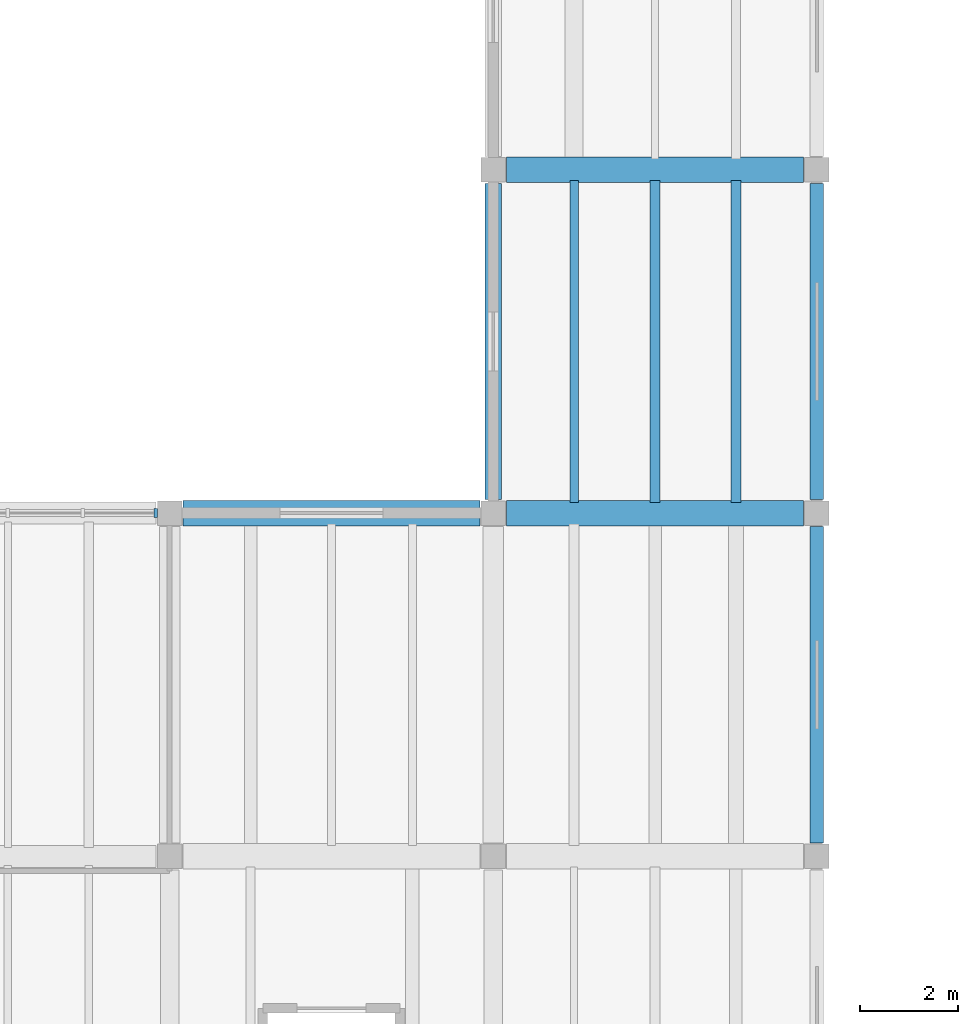
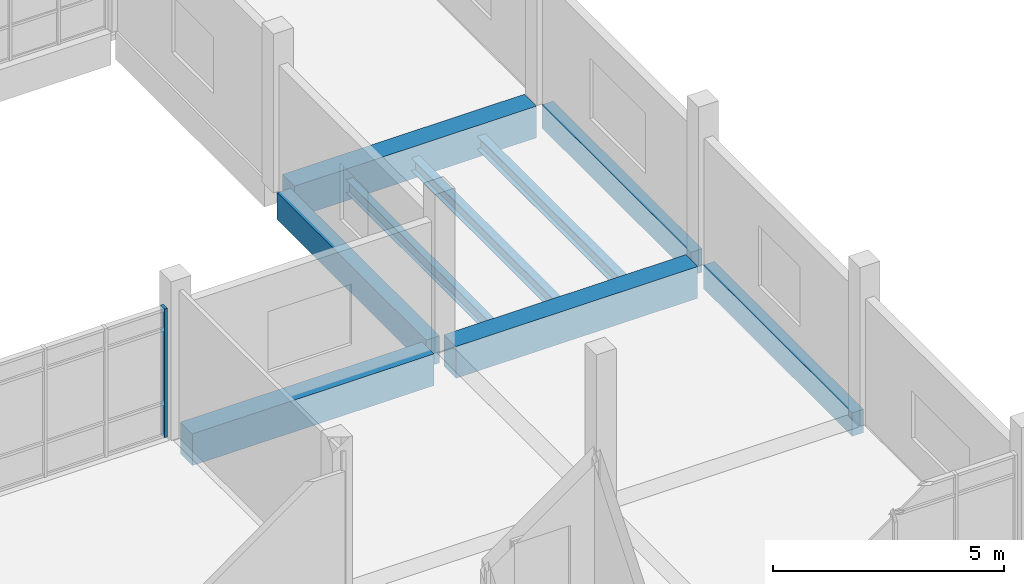
# One storey, part 23 of 65: 9 beams, 1 member, 1 element without a shape of its own.
"""IFC4 building model written with IfcOpenShell, lengths in metres."""

from ifc_helpers import new_model, si_unit, direction, frame, origin, origin_2d, place, context, subcontext, project, spatial, rectangle, i_section, extrude, material, material_profile, profile_set, type_object, element, aggregate, save


model = new_model("IFC4")

# Units and contexts
model_context = context("Model", 3, precision=1e-05, world=origin(), true_north=direction((0.0, 1.0)))
body_context = subcontext(model_context, "Body", "Model", "MODEL_VIEW")
ifc_project = project(units=[si_unit("LENGTHUNIT", "METRE"), si_unit("AREAUNIT", "SQUARE_METRE"), si_unit("VOLUMEUNIT", "CUBIC_METRE"), si_unit("PLANEANGLEUNIT", "RADIAN"), si_unit("MASSUNIT", "GRAM", prefix="KILO")], contexts=[model_context])

# Site, building, storey
site_placement = place(None, origin())
site = spatial("IfcSite", under=ifc_project, at=site_placement, CompositionType="ELEMENT")
building_placement = place(site_placement, origin())
building = spatial("IfcBuilding", under=site, at=building_placement, Name="Ciguamira Faculty of Natural Sciences", CompositionType="ELEMENT")
storey_placement = place(building_placement, frame((0.0, 0.0, 12.60009765625)))
storey = spatial("IfcBuildingStorey", under=building, at=storey_placement, Name="L03", CompositionType="ELEMENT", Elevation=12.60009765625)

# Curtain wall, member
ifc_material_1 = material(Name="Anodized aluminium curtain wall", Category="aluminium")
curtain_wall_type = type_object("IfcCurtainWallType", Name="CurtainWall_CW-08", PredefinedType="USERDEFINED", material=ifc_material_1)
curtain_wall_placement = place(storey_placement, origin())
curtain_wall = element("IfcCurtainWall", 1, at=curtain_wall_placement, inside=storey, type_object=curtain_wall_type, Name="L03 unitised curtain wall 0092", ObjectType="UNITISED CURTAIN WALL", PredefinedType="USERDEFINED")
ifc_material_2 = material(Name="Anodized aluminium mullion", Category="aluminium")
ifc_material_profile_1 = material_profile(ifc_material_2, rectangle(XDim=0.070068359375, YDim=0.179931640625, at=origin_2d()), Name="ALU-MUL-70X180")
ifc_profile_set_1 = profile_set([ifc_material_profile_1], Name="Anodized aluminium mullion")
member_type = type_object("IfcMemberType", Name="CWMullion_CWM-02", PredefinedType="MULLION", material=ifc_profile_set_1)
member_placement = place(storey_placement, frame((103.215087890625, 59.0, 0.0), z_axis=(0.0, 0.0, 1.0), x_axis=(1.0, 0.0, 0.0)))
member = element("IfcMember", 2, at=member_placement, type_object=member_type, Name="CW-08 mullion 5", PredefinedType="MULLION", context=body_context, shape_type="SweptSolid", body=[
    extrude(rectangle(XDim=0.070068359375, YDim=0.179931640625, at=origin_2d()), origin(), (0.0, 0.0, 1.0), 3.40478515625),
])
aggregate(curtain_wall, [member])

# Beams
ifc_material_3 = material(Name="Precast concrete C40/50", Category="concrete")
ifc_material_profile_2 = material_profile(ifc_material_3, rectangle(XDim=0.280029296875, YDim=0.6201171875, at=origin_2d()), Name="RC-SP-280X620")
ifc_profile_set_2 = profile_set([ifc_material_profile_2], Name="Precast concrete C40/50")
beam_type_1 = type_object("IfcBeamType", Name="RCBeam_SP-01_RC-SP-280X620", PredefinedType="SPANDREL", material=ifc_profile_set_2)
for number, where, z_axis, x_axis, name in (
    (3, (116.699951171875, 52.27490234375, -0.31005859375), (0.0, 1.0, 0.0), (-1.0, 0.0, 0.0), "L03 girder NS-1311"),
    (4, (116.699951171875, 59.27490234375, -0.31005859375), (0.0, 1.0, 0.0), (-1.0, 0.0, 0.0), "L03 girder NS-1312"),
):
    element("IfcBeam", number, at=place(storey_placement, frame(where, z_axis=z_axis, x_axis=x_axis)), inside=storey, type_object=beam_type_1, Name=name, PredefinedType="SPANDREL", context=body_context, shape_type="SweptSolid", body=[
        extrude(rectangle(XDim=0.280029296875, YDim=0.6201171875, at=origin_2d()), origin(), (0.0, 0.0, 1.0), 6.4501953125),
    ])
ifc_material_profile_3 = material_profile(ifc_material_3, rectangle(XDim=0.340087890625, YDim=0.719970703125, at=origin_2d()), Name="RC-SP-340X720")
ifc_profile_set_3 = profile_set([ifc_material_profile_3], Name="Precast concrete C40/50")
beam_type_2 = type_object("IfcBeamType", Name="RCBeam_SP-03_RC-SP-340X720", PredefinedType="SPANDREL", material=ifc_profile_set_3)
beam_1_placement = place(storey_placement, frame((110.10009765625, 59.27490234375, -0.360107421875), z_axis=(0.0, 1.0, 0.0), x_axis=(-1.0, 0.0, 0.0)))
element("IfcBeam", 5, at=beam_1_placement, inside=storey, type_object=beam_type_2, Name="L03 girder NS-1300", PredefinedType="SPANDREL", context=body_context, shape_type="SweptSolid", body=[
    extrude(rectangle(XDim=0.340087890625, YDim=0.719970703125, at=origin_2d()), origin(), (0.0, 0.0, 1.0), 6.4501953125),
])
ifc_material_4 = material(Name="Concrete C40/50", Category="concrete")
ifc_material_profile_4 = material_profile(ifc_material_4, rectangle(XDim=0.52001953125, YDim=0.840087890625, at=origin_2d()), Name="RC-TB-520X840")
ifc_profile_set_4 = profile_set([ifc_material_profile_4], Name="Concrete C40/50")
beam_type_3 = type_object("IfcBeamType", Name="RCBeam_TB-02_RC-TB-520X840", PredefinedType="T_BEAM", material=ifc_profile_set_4)
for number, where, z_axis, x_axis, name in (
    (6, (103.77490234375, 59.0, -0.420166015625), (1.0, 0.0, 0.0), (0.0, 1.0, 0.0), "L03 RC girder EW-1116"),
    (7, (110.375, 59.0, -0.420166015625), (1.0, 0.0, 0.0), (0.0, 1.0, 0.0), "L03 RC girder EW-1117"),
    (8, (110.375, 66.0, -0.420166015625), (1.0, 0.0, 0.0), (0.0, 1.0, 0.0), "L03 RC girder EW-1119"),
):
    element("IfcBeam", number, at=place(storey_placement, frame(where, z_axis=z_axis, x_axis=x_axis)), inside=storey, type_object=beam_type_3, Name=name, PredefinedType="T_BEAM", context=body_context, shape_type="SweptSolid", body=[
        extrude(rectangle(XDim=0.52001953125, YDim=0.840087890625, at=origin_2d()), origin(), (0.0, 0.0, 1.0), 6.050048828125),
    ])
ifc_material_5 = material(Name="Steel ASTM A992 Grade 50", Category="steel")
ifc_material_profile_5 = material_profile(ifc_material_5, i_section(OverallWidth=0.1708984375, OverallDepth=0.3505859375, WebThickness=0.0068359375, FlangeThickness=0.009765625, at=origin_2d()), Name="W14X30")
ifc_profile_set_5 = profile_set([ifc_material_profile_5], Name="Steel ASTM A992 Grade 50")
beam_type_4 = type_object("IfcBeamType", Name="SteelJoist_SJ-11_W14X30", PredefinedType="JOIST", material=ifc_profile_set_5)
beam_2_placement = place(storey_placement, frame((111.75, 59.219970703125, -0.455322265625), z_axis=(0.0, 1.0, 0.0), x_axis=(-1.0, 0.0, 0.0)))
element("IfcBeam", 9, at=beam_2_placement, inside=storey, type_object=beam_type_4, Name="L03 composite steel joist 01243", PredefinedType="JOIST", context=body_context, shape_type="SweptSolid", body=[
    extrude(i_section(OverallWidth=0.1708984375, OverallDepth=0.3505859375, WebThickness=0.0068359375, FlangeThickness=0.009765625, at=origin_2d()), origin(), (0.0, 0.0, 1.0), 6.56005859375),
])
ifc_material_profile_6 = material_profile(ifc_material_5, i_section(OverallWidth=0.203125, OverallDepth=0.347900390625, WebThickness=0.0078125, FlangeThickness=0.013427734375, at=origin_2d()), Name="W14X43")
ifc_profile_set_6 = profile_set([ifc_material_profile_6], Name="Steel ASTM A992 Grade 50")
beam_type_5 = type_object("IfcBeamType", Name="SteelJoist_SJ-12_W14X43", PredefinedType="JOIST", material=ifc_profile_set_6)
beam_3_placement = place(storey_placement, frame((113.39990234375, 59.219970703125, -0.4541015625), z_axis=(0.0, 1.0, 0.0), x_axis=(-1.0, 0.0, 0.0)))
element("IfcBeam", 10, at=beam_3_placement, inside=storey, type_object=beam_type_5, Name="L03 composite steel joist 01244", PredefinedType="JOIST", context=body_context, shape_type="SweptSolid", body=[
    extrude(i_section(OverallWidth=0.203125, OverallDepth=0.347900390625, WebThickness=0.0078125, FlangeThickness=0.013427734375, at=origin_2d()), origin(), (0.0, 0.0, 1.0), 6.56005859375),
])
ifc_material_profile_7 = material_profile(ifc_material_5, i_section(OverallWidth=0.204833984375, OverallDepth=0.35302734375, WebThickness=0.00927734375, FlangeThickness=0.016845703125, at=origin_2d()), Name="W14X53")
ifc_profile_set_7 = profile_set([ifc_material_profile_7], Name="Steel ASTM A992 Grade 50")
beam_type_6 = type_object("IfcBeamType", Name="SteelJoist_SJ-13_W14X53", PredefinedType="JOIST", material=ifc_profile_set_7)
beam_4_placement = place(storey_placement, frame((115.050048828125, 59.219970703125, -0.45654296875), z_axis=(0.0, 1.0, 0.0), x_axis=(-1.0, 0.0, 0.0)))
element("IfcBeam", 11, at=beam_4_placement, inside=storey, type_object=beam_type_6, Name="L03 composite steel joist 01245", PredefinedType="JOIST", context=body_context, shape_type="SweptSolid", body=[
    extrude(i_section(OverallWidth=0.204833984375, OverallDepth=0.35302734375, WebThickness=0.00927734375, FlangeThickness=0.016845703125, at=origin_2d()), origin(), (0.0, 0.0, 1.0), 6.56005859375),
])

save(model, "model.ifc")
